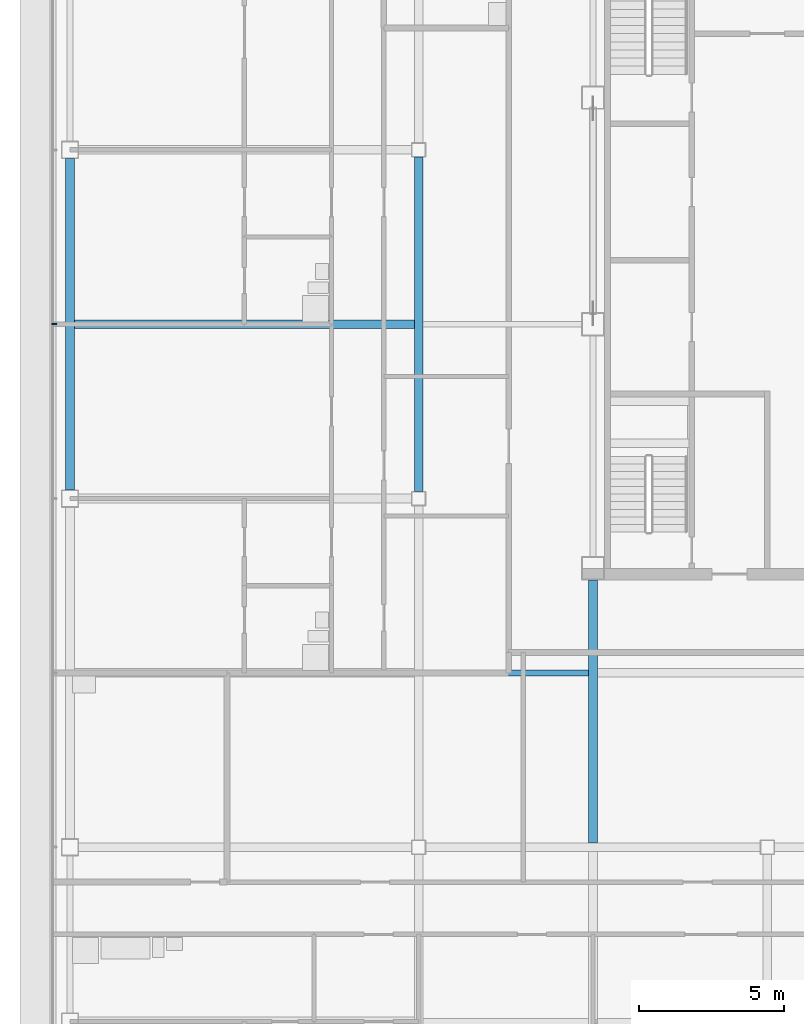
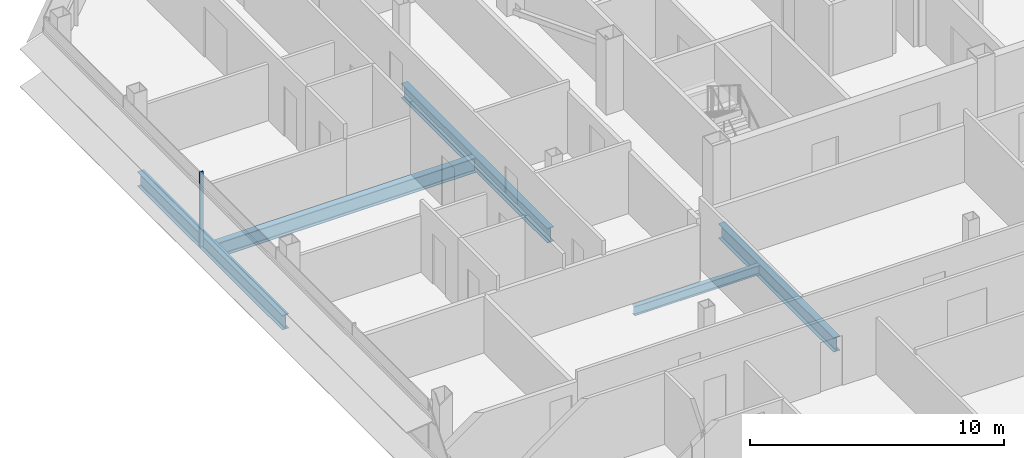
# One storey, part 7 of 28: 5 beams, 1 member, 1 element without a shape of its own.
"""IFC4 building model written with IfcOpenShell, lengths in metres."""

from ifc_helpers import new_model, si_unit, direction, frame, origin, origin_2d, place, context, subcontext, project, spatial, rectangle, i_section, extrude, material, material_profile, profile_set, type_object, element, aggregate, save


model = new_model("IFC4")

# Units and contexts
model_context = context("Model", 3, precision=1e-05, world=origin(), true_north=direction((0.0, 1.0)))
body_context = subcontext(model_context, "Body", "Model", "MODEL_VIEW")
ifc_project = project(units=[si_unit("LENGTHUNIT", "METRE"), si_unit("AREAUNIT", "SQUARE_METRE"), si_unit("VOLUMEUNIT", "CUBIC_METRE"), si_unit("PLANEANGLEUNIT", "RADIAN"), si_unit("MASSUNIT", "GRAM", prefix="KILO")], contexts=[model_context])

# Site, building, storey
site_placement = place(None, origin())
site = spatial("IfcSite", under=ifc_project, at=site_placement, CompositionType="ELEMENT")
building_placement = place(site_placement, origin())
building = spatial("IfcBuilding", under=site, at=building_placement, Name="Sorahane Residences", CompositionType="ELEMENT")
storey_placement = place(building_placement, frame((0.0, 0.0, 273.800048828125)))
storey = spatial("IfcBuildingStorey", under=building, at=storey_placement, Name="L65", CompositionType="ELEMENT", Elevation=273.800048828125)

# Curtain wall, member
ifc_material_1 = material(Name="Dark low-e glass and black anodised aluminium", Category="aluminium")
curtain_wall_type = type_object("IfcCurtainWallType", Name="Curtain wall CW-1 Typical unitised wall", PredefinedType="NOTDEFINED", material=ifc_material_1)
curtain_wall_placement = place(storey_placement, origin())
curtain_wall = element("IfcCurtainWall", 1, at=curtain_wall_placement, inside=storey, type_object=curtain_wall_type, Name="CW-1 curtain wall L65 W1", PredefinedType="NOTDEFINED")
ifc_material_2 = material(Name="Black anodised aluminium", Category="aluminium")
ifc_material_profile_1 = material_profile(ifc_material_2, rectangle(XDim=0.159912109375, YDim=0.050048828125, at=origin_2d()), Name="Curtain wall mullion CW-1 black anodised aluminium 50x160")
ifc_profile_set_1 = profile_set([ifc_material_profile_1], Name="Black anodised aluminium")
member_type = type_object("IfcMemberType", Name="Curtain wall mullion CW-1 black anodised aluminium 50x160", PredefinedType="MULLION", material=ifc_profile_set_1)
member_placement = place(storey_placement, frame((-12.5400390625, 30.0, -0.179931640625), z_axis=(0.0, 0.0, 1.0), x_axis=(-1.0, 0.0, 0.0)))
member = element("IfcMember", 2, at=member_placement, type_object=member_type, Name="CW-1 mullion L65 W1.3", PredefinedType="MULLION", context=body_context, shape_type="SweptSolid", body=[
    extrude(rectangle(XDim=0.159912109375, YDim=0.050048828125, at=origin_2d()), origin(), (0.0, 0.0, 1.0), 3.599853515625),
])
aggregate(curtain_wall, [member])

# Beams
ifc_material_3 = material(Name="Steel Q355B", Category="steel")
ifc_material_profile_2 = material_profile(ifc_material_3, i_section(OverallWidth=0.199951171875, OverallDepth=0.449951171875, WebThickness=0.009033203125, FlangeThickness=0.013916015625, FilletRadius=0.02001953125, at=origin_2d()), Name="HN 450x200x9x14")
ifc_profile_set_2 = profile_set([ifc_material_profile_2], Name="Steel Q355B")
beam_type_1 = type_object("IfcBeamType", Name="Steel floor beam HN 450x200x9x14 Q355B", PredefinedType="BEAM", material=ifc_profile_set_2)
beam_1_placement = place(storey_placement, frame((0.14990234375, 18.0, -0.405029296875), z_axis=(1.0, 0.0, 0.0), x_axis=(0.0, 1.0, 0.0)))
element("IfcBeam", 3, at=beam_1_placement, inside=storey, type_object=beam_type_1, Name="Beam L65 079", PredefinedType="BEAM", context=body_context, shape_type="SweptSolid", body=[
    extrude(i_section(OverallWidth=0.199951171875, OverallDepth=0.449951171875, WebThickness=0.009033203125, FlangeThickness=0.013916015625, FilletRadius=0.02001953125, at=origin_2d()), origin(), (0.0, 0.0, 1.0), 5.7001953125),
])
ifc_material_4 = material(Name="Steel Q355B", Category="steel")
ifc_material_profile_3 = material_profile(ifc_material_4, i_section(OverallWidth=0.300048828125, OverallDepth=0.699951171875, WebThickness=0.012939453125, FlangeThickness=0.02392578125, FilletRadius=0.028076171875, at=origin_2d()), Name="HN 700x300x13x24")
ifc_profile_set_3 = profile_set([ifc_material_profile_3], Name="Steel Q355B")
beam_type_2 = type_object("IfcBeamType", Name="Steel floor beam HN 700x300x13x24 Q355B", PredefinedType="BEAM", material=ifc_profile_set_3)
beam_2_placement = place(storey_placement, frame((-12.0, 24.300048828125, -0.530029296875), z_axis=(0.0, 1.0, 0.0), x_axis=(-1.0, 0.0, 0.0)))
element("IfcBeam", 4, at=beam_2_placement, inside=storey, type_object=beam_type_2, Name="Beam L65 022", PredefinedType="BEAM", context=body_context, shape_type="SweptSolid", body=[
    extrude(i_section(OverallWidth=0.300048828125, OverallDepth=0.699951171875, WebThickness=0.012939453125, FlangeThickness=0.02392578125, FilletRadius=0.028076171875, at=origin_2d()), origin(), (0.0, 0.0, 1.0), 11.39990234375),
])
beam_3_placement = place(storey_placement, frame((0.0, 24.25, -0.530029296875), z_axis=(0.0, 1.0, 0.0), x_axis=(-1.0, 0.0, 0.0)))
element("IfcBeam", 5, at=beam_3_placement, inside=storey, type_object=beam_type_2, Name="Beam L65 026", PredefinedType="BEAM", context=body_context, shape_type="SweptSolid", body=[
    extrude(i_section(OverallWidth=0.300048828125, OverallDepth=0.699951171875, WebThickness=0.012939453125, FlangeThickness=0.02392578125, FilletRadius=0.028076171875, at=origin_2d()), origin(), (0.0, 0.0, 1.0), 11.5),
])
beam_4_placement = place(storey_placement, frame((6.0, 12.14990234375, -0.530029296875), z_axis=(0.0, 1.0, 0.0), x_axis=(-1.0, 0.0, 0.0)))
element("IfcBeam", 6, at=beam_4_placement, inside=storey, type_object=beam_type_2, Name="Beam L65 029", PredefinedType="BEAM", context=body_context, shape_type="SweptSolid", body=[
    extrude(i_section(OverallWidth=0.300048828125, OverallDepth=0.699951171875, WebThickness=0.012939453125, FlangeThickness=0.02392578125, FilletRadius=0.028076171875, at=origin_2d()), origin(), (0.0, 0.0, 1.0), 9.050048828125),
])
beam_5_placement = place(storey_placement, frame((-11.85009765625, 30.0, -0.530029296875), z_axis=(1.0, 0.0, 0.0), x_axis=(0.0, 1.0, 0.0)))
element("IfcBeam", 7, at=beam_5_placement, inside=storey, type_object=beam_type_2, Name="Beam L65 085", PredefinedType="BEAM", context=body_context, shape_type="SweptSolid", body=[
    extrude(i_section(OverallWidth=0.300048828125, OverallDepth=0.699951171875, WebThickness=0.012939453125, FlangeThickness=0.02392578125, FilletRadius=0.028076171875, at=origin_2d()), origin(), (0.0, 0.0, 1.0), 11.7001953125),
])

save(model, "model.ifc")
